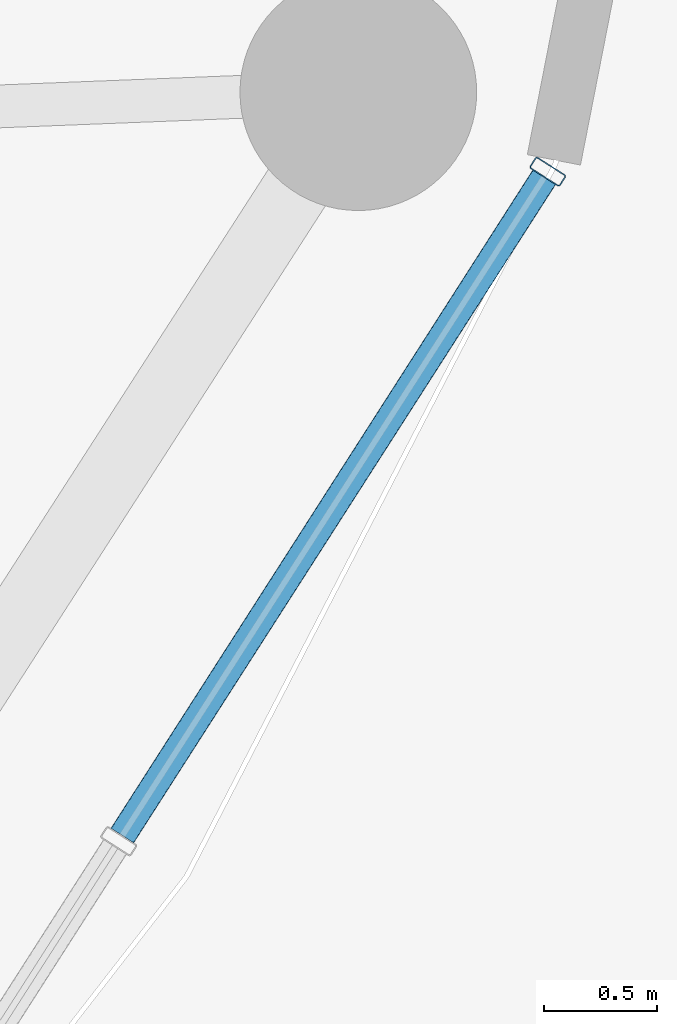
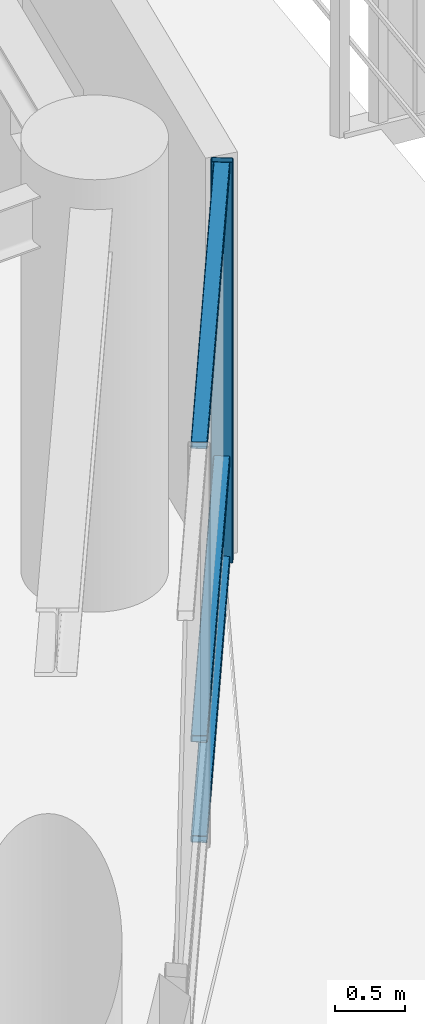
# One storey, part 12 of 31: 4 members, 1 element without a shape of its own.
"""IFC4 building model written with IfcOpenShell, lengths in metres."""

from ifc_helpers import new_model, si_unit, direction, frame, origin, origin_2d, place, context, subcontext, project, spatial, hollow_rectangle, extrude, material, layer, layer_set, material_profile, profile_set, type_object, element, aggregate, save


model = new_model("IFC4")

# Units and contexts
model_context = context("Model", 3, precision=1e-05, world=origin(), true_north=direction((0.0, 1.0)))
body_context = subcontext(model_context, "Body", "Model", "MODEL_VIEW")
ifc_project = project(units=[si_unit("LENGTHUNIT", "METRE"), si_unit("AREAUNIT", "SQUARE_METRE"), si_unit("VOLUMEUNIT", "CUBIC_METRE"), si_unit("PLANEANGLEUNIT", "RADIAN"), si_unit("MASSUNIT", "GRAM", prefix="KILO")], contexts=[model_context])

# Site, building, storey
site_placement = place(None, origin())
site = spatial("IfcSite", under=ifc_project, at=site_placement, CompositionType="ELEMENT")
building_placement = place(site_placement, origin())
building = spatial("IfcBuilding", under=site, at=building_placement, Name="Kelanora Arch Commons", CompositionType="ELEMENT")
storey_placement = place(building_placement, frame((0.0, 0.0, 193.199951171875)))
storey = spatial("IfcBuildingStorey", under=building, at=storey_placement, Name="L49", CompositionType="ELEMENT", Elevation=193.199951171875)

# Curtain wall, members
ifc_material_1 = material(Name="Terracotta ceramic-fritted low-E glass and aluminium", Category="masonry")
ifc_layer = layer(ifc_material_1, 0.175048828125)
ifc_layer_set = layer_set([ifc_layer], Name="Terracotta ceramic-fritted low-E glass and aluminium")
curtain_wall_type = type_object("IfcCurtainWallType", Name="CW-SYS-02", PredefinedType="NOTDEFINED", material=ifc_layer_set)
curtain_wall_placement = place(storey_placement, origin())
curtain_wall = element("IfcCurtainWall", 1, at=curtain_wall_placement, inside=storey, type_object=curtain_wall_type, Name="Unitised Curtain Wall L49-B16", PredefinedType="NOTDEFINED")
ifc_material_2 = material(Name="Powder-coated aluminium terracotta", Category="masonry")
ifc_material_profile_1 = material_profile(ifc_material_2, hollow_rectangle(XDim=0.159912109375, YDim=0.06005859375, WallThickness=0.0048828125, InnerFilletRadius=0.0048828125, OuterFilletRadius=0.010009765625, at=origin_2d()), Name="CWM160x60")
ifc_profile_set_1 = profile_set([ifc_material_profile_1], Name="Powder-coated aluminium terracotta")
member_type_1 = type_object("IfcMemberType", Name="CWM-STD", PredefinedType="MULLION", material=ifc_profile_set_1)
member_1_placement = place(storey_placement, frame((94.8369140625, 51.121826171875, 0.0), z_axis=(0.0, 0.0, 1.0), x_axis=(-0.84194757539, 0.539559338994, 0.0)))
member_1 = element("IfcMember", 2, at=member_1_placement, type_object=member_type_1, Name="CW-02 mullion 3", PredefinedType="MULLION", context=body_context, shape_type="SweptSolid", body=[
    extrude(hollow_rectangle(XDim=0.159912109375, YDim=0.06005859375, WallThickness=0.0048828125, InnerFilletRadius=0.0048828125, OuterFilletRadius=0.010009765625, at=origin_2d()), origin(), (0.0, 0.0, 1.0), 3.47509765625),
])
ifc_material_profile_2 = material_profile(ifc_material_2, hollow_rectangle(XDim=0.1201171875, YDim=0.06005859375, WallThickness=0.0048828125, InnerFilletRadius=0.0048828125, OuterFilletRadius=0.010009765625, at=origin_2d()), Name="CWT120x60")
ifc_profile_set_2 = profile_set([ifc_material_profile_2], Name="Powder-coated aluminium terracotta")
member_type_2 = type_object("IfcMemberType", Name="CWT-STD", PredefinedType="USERDEFINED", material=ifc_profile_set_2)
member_2_placement = place(storey_placement, frame((92.949951171875, 48.17724609375, 0.030029296875), z_axis=(0.539579095642, 0.84193491408, 0.0), x_axis=(-0.84193491408, 0.539579095642, 0.0)))
member_2 = element("IfcMember", 3, at=member_2_placement, type_object=member_type_2, Name="CW-02 transom 2.1", ObjectType="TRANSOM", PredefinedType="USERDEFINED", context=body_context, shape_type="SweptSolid", body=[
    extrude(hollow_rectangle(XDim=0.1201171875, YDim=0.06005859375, WallThickness=0.0048828125, InnerFilletRadius=0.0048828125, OuterFilletRadius=0.010009765625, at=origin_2d()), origin(), (0.0, 0.0, 1.0), 3.46728515625),
])
member_3_placement = place(storey_placement, frame((92.949951171875, 48.17724609375, 0.900146484375), z_axis=(0.539579095642, 0.84193491408, 0.0), x_axis=(-0.84193491408, 0.539579095642, 0.0)))
member_3 = element("IfcMember", 4, at=member_3_placement, type_object=member_type_2, Name="CW-02 transom 2.2", ObjectType="TRANSOM", PredefinedType="USERDEFINED", context=body_context, shape_type="SweptSolid", body=[
    extrude(hollow_rectangle(XDim=0.1201171875, YDim=0.06005859375, WallThickness=0.0048828125, InnerFilletRadius=0.0048828125, OuterFilletRadius=0.010009765625, at=origin_2d()), origin(), (0.0, 0.0, 1.0), 3.46728515625),
])
member_4_placement = place(storey_placement, frame((92.949951171875, 48.17724609375, 3.445068359375), z_axis=(0.539579095642, 0.84193491408, 0.0), x_axis=(-0.84193491408, 0.539579095642, 0.0)))
member_4 = element("IfcMember", 5, at=member_4_placement, type_object=member_type_2, Name="CW-02 transom 2.3", ObjectType="TRANSOM", PredefinedType="USERDEFINED", context=body_context, shape_type="SweptSolid", body=[
    extrude(hollow_rectangle(XDim=0.1201171875, YDim=0.06005859375, WallThickness=0.0048828125, InnerFilletRadius=0.0048828125, OuterFilletRadius=0.010009765625, at=origin_2d()), origin(), (0.0, 0.0, 1.0), 3.46728515625),
])
aggregate(curtain_wall, [member_1, member_2, member_3, member_4])

save(model, "model.ifc")
